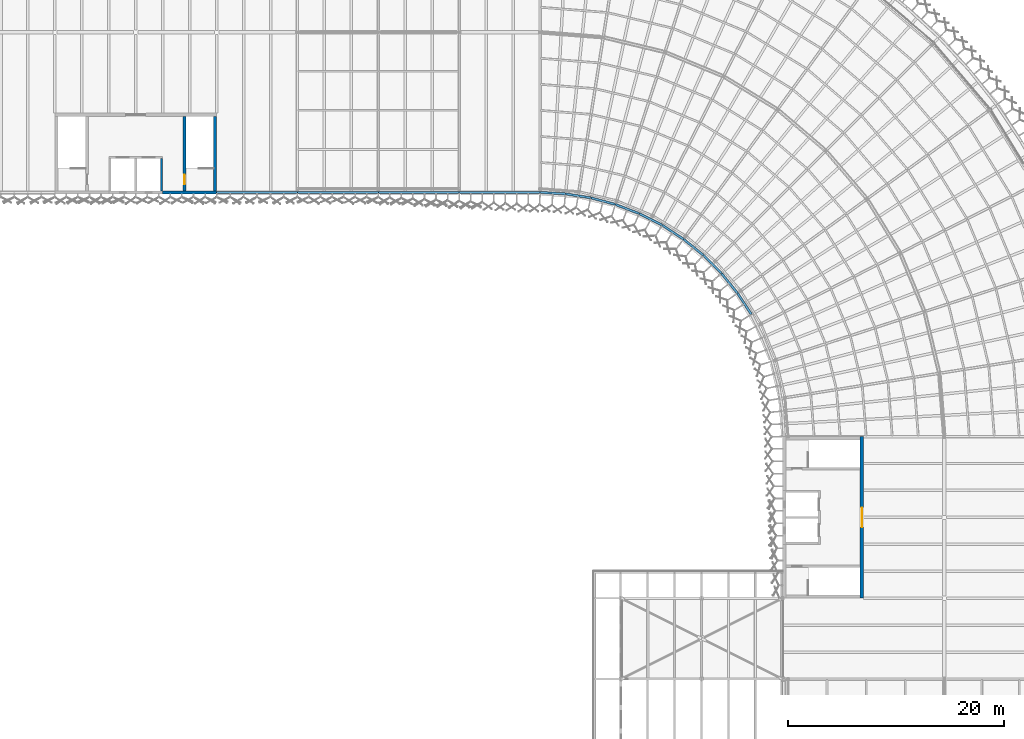
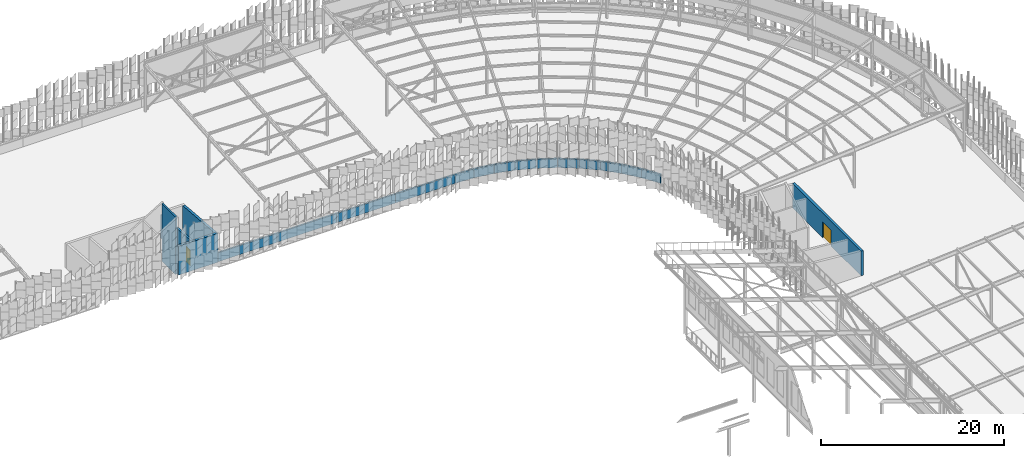
# One storey, part 125 of 483: 19 walls, 2 doors, 2 openings.
"""IFC4 building model written with IfcOpenShell, lengths in metres."""

import ifcopenshell
import ifcopenshell.guid

model = None  # the IFC model being written
_history = None  # IfcOwnerHistory: only IFC2X3 demands one
_inside = {}  # id of a spatial element -> (the spatial element, [elements in it])
_under = {}  # id of a project, library or spatial element -> (it, [spatial elements below it])
_declared = {}  # id of a project -> (the project, [libraries it declares])
_typed = {}  # id of a type object -> (the type object, [elements of that type])
_made_of = {}  # id of a material, layer set ... -> (it, [elements and type objects made of it])


def new_model(schema):
    """Start an empty IFC model of exactly this schema.

    Asked for "IFC4X3", IfcOpenShell would pick the latest addendum, in which some entities
    have other attributes; the version numbers below select the first issue.
    IFC2X3 requires an IfcOwnerHistory on every rooted entity: one is made here for all.
    """
    global model, _history
    if schema == "IFC4X3":
        model = ifcopenshell.file(schema_version=(4, 3, 0, 0))
    else:
        model = ifcopenshell.file(schema=schema)
    _inside.clear()
    _under.clear()
    _declared.clear()
    _typed.clear()
    _made_of.clear()
    _history = None
    if model.schema == "IFC2X3":
        org = make("IfcOrganization", Name="unknown")
        user = make(
            "IfcPersonAndOrganization",
            ThePerson=make("IfcPerson", FamilyName="unknown"),
            TheOrganization=org,
        )
        app = make(
            "IfcApplication",
            ApplicationDeveloper=org,
            Version="unknown",
            ApplicationFullName="unknown",
            ApplicationIdentifier="unknown",
        )
        _history = make(
            "IfcOwnerHistory",
            OwningUser=user,
            OwningApplication=app,
            ChangeAction="ADDED",
            CreationDate=0,
        )
    return model


def make(cls, **values):
    """One entity of the class cls with the attributes given. An attribute that is None is left unset."""
    return model.create_entity(
        cls, **{name: value for name, value in values.items() if value is not None}
    )


def rooted(cls, **values):
    """An entity with a GlobalId (a new one), such as an element, a storey or a relation."""
    return make(cls, GlobalId=ifcopenshell.guid.new(), OwnerHistory=_history, **values)


def si_unit(unit_type, name, prefix=None):
    """IfcSIUnit, for example si_unit("LENGTHUNIT", "METRE", prefix="MILLI")."""
    return make("IfcSIUnit", UnitType=unit_type, Prefix=prefix, Name=name)


def assignment(units):
    """IfcUnitAssignment: the units of a project."""
    return None if units is None else make("IfcUnitAssignment", Units=units)


def point(xyz):
    """IfcCartesianPoint."""
    return None if xyz is None else make("IfcCartesianPoint", Coordinates=xyz)


def direction(xyz):
    """IfcDirection."""
    return None if xyz is None else make("IfcDirection", DirectionRatios=xyz)


def frame(location, z_axis=None, x_axis=None):
    """IfcAxis2Placement3D, a coordinate frame: its origin and axes. An axis left out is left unset."""
    return make(
        "IfcAxis2Placement3D",
        Location=point(location),
        Axis=direction(z_axis),
        RefDirection=direction(x_axis),
    )


def frame_2d(location, x_axis=None):
    """IfcAxis2Placement2D, a coordinate frame in the plane: its origin and x axis."""
    return make(
        "IfcAxis2Placement2D", Location=point(location), RefDirection=direction(x_axis)
    )


def origin():
    """The frame at (0, 0, 0) with its axes left unset."""
    return frame((0.0, 0.0, 0.0))


def place(relative_to, where):
    """IfcLocalPlacement: puts the frame where relative to a parent placement (None: the world)."""
    return make(
        "IfcLocalPlacement", PlacementRelTo=relative_to, RelativePlacement=where
    )


def context(
    kind, dimensions, precision=None, world=None, true_north=None, identifier=None
):
    """IfcGeometricRepresentationContext, for example the 3D "Model" context."""
    return make(
        "IfcGeometricRepresentationContext",
        ContextIdentifier=identifier,
        ContextType=kind,
        CoordinateSpaceDimension=dimensions,
        Precision=precision,
        WorldCoordinateSystem=world,
        TrueNorth=true_north,
    )


def subcontext(parent, identifier, kind, view, scale=None):
    """IfcGeometricRepresentationSubContext, for example "Body" below "Model"."""
    return make(
        "IfcGeometricRepresentationSubContext",
        ContextIdentifier=identifier,
        ContextType=kind,
        ParentContext=parent,
        TargetScale=scale,
        TargetView=view,
    )


def project(units=None, contexts=None):
    """IfcProject with its units and contexts."""
    return rooted(
        "IfcProject",
        Name="project",
        RepresentationContexts=contexts,
        UnitsInContext=assignment(units),
    )


def spatial(cls, under=None, at=None, **own):
    """A site, building, storey or space (cls), placed at a placement, below another one or the project."""
    s = rooted(cls, ObjectPlacement=at, **own)
    if under is not None:
        _under.setdefault(under.id(), (under, []))[1].append(s)
    return s


def polyline(points):
    """IfcPolyline through the points."""
    return make("IfcPolyline", Points=[point(p) for p in points])


def profile(cls, at=None, kind="AREA", **sizes):
    """A parametric profile (cls). Its sizes go by their IFC names, for example OverallWidth=200.0."""
    return make(cls, ProfileType=kind, Position=at, **sizes)


def rectangle(**sizes):
    """IfcRectangleProfileDef."""
    return profile("IfcRectangleProfileDef", **sizes)


def outline(outer, holes=None, kind="AREA"):
    """IfcArbitraryClosedProfileDef: a profile drawn as a closed curve; with holes, ...WithVoids."""
    if holes is None:
        return make("IfcArbitraryClosedProfileDef", ProfileType=kind, OuterCurve=outer)
    return make(
        "IfcArbitraryProfileDefWithVoids",
        ProfileType=kind,
        OuterCurve=outer,
        InnerCurves=holes,
    )


def extrude(swept, where, along, depth):
    """IfcExtrudedAreaSolid: the profile swept, set in the frame where, extruded along a direction by depth."""
    return make(
        "IfcExtrudedAreaSolid",
        SweptArea=swept,
        Position=where,
        ExtrudedDirection=direction(along),
        Depth=depth,
    )


def shape(context_of_items, identifier, shape_type, items):
    """IfcShapeRepresentation: the items that make up one representation, for example the "Body"."""
    return make(
        "IfcShapeRepresentation",
        ContextOfItems=context_of_items,
        RepresentationIdentifier=identifier,
        RepresentationType=shape_type,
        Items=items,
    )


def material(Name=None, Category=None):
    """IfcMaterial."""
    return make("IfcMaterial", Name=Name, Category=Category)


def layer(
    of_material, thickness, ventilated=None, Name=None, Category=None, Priority=None
):
    """IfcMaterialLayer: one layer of a wall or slab, of a material (None: an air gap)."""
    return make(
        "IfcMaterialLayer",
        Material=of_material,
        LayerThickness=thickness,
        IsVentilated=ventilated,
        Name=Name,
        Category=Category,
        Priority=Priority,
    )


def layer_set(layers, Name=None):
    """IfcMaterialLayerSet."""
    return make("IfcMaterialLayerSet", MaterialLayers=layers, LayerSetName=Name)


def made_of(thing, what):
    """Note that an element or type object is made of a material, layer set ...; save() writes the relation."""
    if what is not None:
        _made_of.setdefault(what.id(), (what, []))[1].append(thing)
    return thing


def type_object(cls, material=None, **own):
    """A type object (cls), such as IfcWallType, which elements share."""
    return made_of(rooted(cls, **own), material)


def element(
    cls,
    number,
    at=None,
    inside=None,
    cuts=None,
    type_object=None,
    material=None,
    context=None,
    identifier="Body",
    shape_type=None,
    held_by="IfcProductDefinitionShape",
    body=None,
    shapes=None,
    **own,
):
    """One element of the class cls, such as IfcWall. Its Tag is "e" and its number.

    at: its placement. inside: the storey or other place that contains it. cuts: it is an
    opening in that element (IfcRelVoidsElement). A single representation is given by context,
    identifier, shape_type and body (its items); several are given by shapes. held_by: the class
    of the entity that holds the representations. save() writes the other relations.
    """
    e = rooted(cls, Tag="e%d" % number, ObjectPlacement=at, **own)
    if body is not None:
        shapes = [shape(context, identifier, shape_type, body)]
    if shapes is not None:
        e.Representation = make(held_by, Representations=shapes)
    if inside is not None:
        _inside.setdefault(inside.id(), (inside, []))[1].append(e)
    if cuts is not None:
        rooted(
            "IfcRelVoidsElement", RelatingBuildingElement=cuts, RelatedOpeningElement=e
        )
    if type_object is not None:
        _typed.setdefault(type_object.id(), (type_object, []))[1].append(e)
    return made_of(e, material)


def fill(opening, filler):
    """IfcRelFillsElement: the door or window that sits in an opening."""
    return rooted(
        "IfcRelFillsElement",
        RelatingOpeningElement=opening,
        RelatedBuildingElement=filler,
    )


def aggregate(whole, parts):
    """IfcRelAggregates: a whole, such as a stair, and the parts it consists of."""
    return rooted("IfcRelAggregates", RelatingObject=whole, RelatedObjects=parts)


def save(model, path):
    """Write the relations noted so far, then the file.

    IfcRelAggregates (storeys below a building ...), IfcRelContainedInSpatialStructure (elements
    in a storey), IfcRelDefinesByType, IfcRelAssociatesMaterial and IfcRelDeclares: one each for
    every whole, place, type object, material and project.
    """
    for whole, parts in _under.values():
        aggregate(whole, parts)
    for where, things in _inside.values():
        rooted(
            "IfcRelContainedInSpatialStructure",
            RelatedElements=things,
            RelatingStructure=where,
        )
    for kind, things in _typed.values():
        rooted("IfcRelDefinesByType", RelatedObjects=things, RelatingType=kind)
    for what, things in _made_of.values():
        rooted("IfcRelAssociatesMaterial", RelatedObjects=things, RelatingMaterial=what)
    for by, libraries in _declared.values():
        rooted("IfcRelDeclares", RelatingContext=by, RelatedDefinitions=libraries)
    model.write(path)


model = new_model("IFC4")

# Units and contexts
model_context = context("Model", 3, precision=1e-05, world=origin(), true_north=direction((0.0, 1.0)))
body_context = subcontext(model_context, "Body", "Model", "MODEL_VIEW")
ifc_project = project(units=[si_unit("LENGTHUNIT", "METRE"), si_unit("AREAUNIT", "SQUARE_METRE"), si_unit("VOLUMEUNIT", "CUBIC_METRE"), si_unit("PLANEANGLEUNIT", "RADIAN"), si_unit("MASSUNIT", "GRAM", prefix="KILO")], contexts=[model_context])

# Site, building, storey
site_placement = place(None, origin())
site = spatial("IfcSite", under=ifc_project, at=site_placement, CompositionType="ELEMENT")
building_placement = place(site_placement, origin())
building = spatial("IfcBuilding", under=site, at=building_placement, Name="Parallax Yard Mobility Hub", CompositionType="ELEMENT")
storey_placement = place(building_placement, frame((0.0, 0.0, 13.199951171875)))
storey = spatial("IfcBuildingStorey", under=building, at=storey_placement, Name="L04", CompositionType="ELEMENT", Elevation=13.199951171875)

# Walls
ifc_material_1 = material(Name="Concrete fc' 35 MPa", Category="concrete")
ifc_layer_1 = layer(ifc_material_1, 0.300048828125)
ifc_layer_set_1 = layer_set([ifc_layer_1], Name="Concrete fc' 35 MPa core wall 300")
wall_type_1 = type_object("IfcWallType", Name="Concrete fc' 35 MPa core wall 300", PredefinedType="SHEAR", material=ifc_layer_set_1)
wall_1_placement = place(storey_placement, frame((142.5, 112.64990234375, 0.0), z_axis=(0.0, 0.0, 1.0), x_axis=(-1.0, 0.0, 0.0)))
element("IfcWall", 1, at=wall_1_placement, inside=storey, type_object=wall_type_1, Name="Core C-N2 back wall part 1 level L04", PredefinedType="SHEAR", context=body_context, shape_type="SweptSolid", body=[
    extrude(rectangle(XDim=5.0, YDim=0.300048828125, at=frame_2d((2.5, 0.0))), origin(), (0.0, 0.0, 1.0), 3.875),
])
wall_2_placement = place(storey_placement, frame((142.35009765625, 119.699951171875, 0.0), z_axis=(0.0, 0.0, 1.0), x_axis=(0.0, -1.0, 0.0)))
element("IfcWall", 2, at=wall_2_placement, inside=storey, type_object=wall_type_1, Name="Core C-N2 west-side end wall level L04", PredefinedType="SHEAR", context=body_context, shape_type="SweptSolid", body=[
    extrude(outline(polyline([(0.0, 0.0), (6.89990234375, 0.0), (6.89990234375, 3.875), (0.0, 3.300048828125), (0.0, 0.0)])), frame((0.0, 0.14990234375, 0.0), z_axis=(0.0, -1.0, 0.0), x_axis=(1.0, 0.0, 0.0)), (0.0, 0.0, 1.0), 0.300048828125),
])

# Wall, opening, door
wall_3_placement = place(storey_placement, frame((202.35009765625, 90.0, 0.0), z_axis=(0.0, 0.0, 1.0), x_axis=(0.0, -1.0, 0.0)))
wall_3 = element("IfcWall", 3, at=wall_3_placement, inside=storey, type_object=wall_type_1, Name="Core C-E entry wall level L04", PredefinedType="SHEAR", context=body_context, shape_type="SweptSolid", body=[
    extrude(rectangle(XDim=15.0, YDim=0.300048828125, at=frame_2d((7.5, 0.0))), origin(), (0.0, 0.0, 1.0), 3.300048828125),
])
opening_1_placement = place(wall_3_placement, frame((6.60009765625, 0.0, 0.0)))
opening_1 = element("IfcOpeningElement", 4, at=opening_1_placement, cuts=wall_3, Name="Opening L04-D719", PredefinedType="OPENING", context=body_context, shape_type="SweptSolid", body=[
    extrude(rectangle(XDim=1.800048828125, YDim=2.10009765625, at=frame_2d((0.89990234375, 1.050048828125))), frame((0.0, 0.16015625, 0.0), z_axis=(0.0, -1.0, 0.0), x_axis=(1.0, 0.0, 0.0)), (0.0, 0.0, 1.0), 0.320068359375),
])
ifc_material_2 = material(Name="Hollow metal steel door and frame", Category="steel")
door_type_1 = type_object("IfcDoorType", Name="Core double door 1800 x 2100 FD90", OperationType="NOTDEFINED", PredefinedType="DOOR", material=ifc_material_2)
door_1_placement = place(opening_1_placement, origin())
door_1 = element("IfcDoor", 5, at=door_1_placement, inside=storey, type_object=door_type_1, Name="Lift lobby door L04-D719, core C-E level L04", OperationType="DOUBLE_DOOR_SINGLE_SWING", OverallHeight=2.10009765625, OverallWidth=1.800048828125, PredefinedType="DOOR", context=body_context, shape_type="SweptSolid", body=[
    extrude(rectangle(XDim=1.800048828125, YDim=2.10009765625, at=frame_2d((0.89990234375, 1.050048828125))), frame((0.0, 0.02490234375, 0.0), z_axis=(0.0, -1.0, 0.0), x_axis=(1.0, 0.0, 0.0)), (0.0, 0.0, 1.0), 0.050048828125),
])
fill(opening_1, door_1)

# Wall
ifc_layer_2 = layer(ifc_material_1, 0.199951171875)
ifc_layer_set_2 = layer_set([ifc_layer_2], Name="Concrete fc' 35 MPa internal core wall 200")
wall_type_2 = type_object("IfcWallType", Name="Concrete fc' 35 MPa internal core wall 200", PredefinedType="STANDARD", material=ifc_layer_set_2)
wall_4_placement = place(storey_placement, frame((137.39990234375, 115.800048828125, 0.0), z_axis=(0.0, 0.0, 1.0), x_axis=(0.0, -1.0, 0.0)))
element("IfcWall", 6, at=wall_4_placement, inside=storey, type_object=wall_type_2, Name="Core C-N2 lift wall 1 part 1 level L04", PredefinedType="STANDARD", context=body_context, shape_type="SweptSolid", body=[
    extrude(rectangle(XDim=3.0, YDim=0.199951171875, at=frame_2d((1.5, 0.0))), origin(), (0.0, 0.0, 1.0), 7.679931640625),
])

# Wall, opening, door
ifc_layer_3 = layer(ifc_material_1, 0.25)
ifc_layer_set_3 = layer_set([ifc_layer_3], Name="Concrete fc' 35 MPa stair enclosure wall 250")
wall_type_3 = type_object("IfcWallType", Name="Concrete fc' 35 MPa stair enclosure wall 250", PredefinedType="STANDARD", material=ifc_layer_set_3)
wall_5_placement = place(storey_placement, frame((139.52490234375, 119.699951171875, 0.0), z_axis=(0.0, 0.0, 1.0), x_axis=(0.0, -1.0, 0.0)))
wall_5 = element("IfcWall", 7, at=wall_5_placement, inside=storey, type_object=wall_type_3, Name="Core C-N2 stair 1 partition level L04", PredefinedType="STANDARD", context=body_context, shape_type="SweptSolid", body=[
    extrude(outline(polyline([(0.0, 0.0), (6.89990234375, 0.0), (6.89990234375, 3.675048828125), (0.0, 3.10009765625), (0.0, 0.0)])), frame((0.0, 0.125, 0.0), z_axis=(0.0, -1.0, 0.0), x_axis=(1.0, 0.0, 0.0)), (0.0, 0.0, 1.0), 0.25),
])
opening_2_placement = place(wall_5_placement, frame((5.39990234375, 0.0, 0.0)))
opening_2 = element("IfcOpeningElement", 8, at=opening_2_placement, cuts=wall_5, Name="Opening L04-D715", PredefinedType="OPENING", context=body_context, shape_type="SweptSolid", body=[
    extrude(rectangle(XDim=0.89990234375, YDim=2.10009765625, at=frame_2d((0.449951171875, 1.050048828125))), frame((0.0, 0.135009765625, 0.0), z_axis=(0.0, -1.0, 0.0), x_axis=(1.0, 0.0, 0.0)), (0.0, 0.0, 1.0), 0.27001953125),
])
door_type_2 = type_object("IfcDoorType", Name="Core door 900 x 2100 FD90", OperationType="NOTDEFINED", PredefinedType="DOOR", material=ifc_material_2)
door_2_placement = place(opening_2_placement, origin())
door_2 = element("IfcDoor", 9, at=door_2_placement, inside=storey, type_object=door_type_2, Name="Stair lobby door L04-D715, core C-N2 level L04", OperationType="SINGLE_SWING_LEFT", OverallHeight=2.10009765625, OverallWidth=0.89990234375, PredefinedType="DOOR", context=body_context, shape_type="SweptSolid", body=[
    extrude(rectangle(XDim=0.89990234375, YDim=2.10009765625, at=frame_2d((0.449951171875, 1.050048828125))), frame((0.0, 0.02490234375, 0.0), z_axis=(0.0, -1.0, 0.0), x_axis=(1.0, 0.0, 0.0)), (0.0, 0.0, 1.0), 0.050048828125),
])
fill(opening_2, door_2)

# Walls
ifc_layer_4 = layer(ifc_material_1, 0.199951171875)
ifc_layer_set_4 = layer_set([ifc_layer_4], Name="Roof parapet wall, Concrete fc' 35 MPa precast, 200")
wall_type_4 = type_object("IfcWallType", Name="Roof parapet wall, Concrete fc' 35 MPa precast, 200", PredefinedType="SOLIDWALL", material=ifc_layer_set_4)
wall_6_placement = place(storey_placement, frame((142.5048828125, 112.64599609375, 0.0), z_axis=(0.0, 0.0, 1.0), x_axis=(1.0, 0.0, 0.0)))
element("IfcWall", 10, at=wall_6_placement, inside=storey, type_object=wall_type_4, Name="Roof parapet wall bay 14 level L04", PredefinedType="SOLIDWALL", context=body_context, shape_type="SweptSolid", body=[
    extrude(rectangle(XDim=7.4931640625, YDim=0.199951171875, at=frame_2d((3.74658203125, 0.0))), origin(), (0.0, 0.0, 1.0), 1.199951171875),
])
for number, where, z_axis, x_axis, name in (
    (11, (150.001953125, 112.64599609375, 0.0), (0.0, 0.0, 1.0), (1.0, 0.0, 0.0), "Roof parapet wall bay 15 level L04"),
    (12, (157.501953125, 112.64599609375, 0.0), (0.0, 0.0, 1.0), (1.0, 0.0, 0.0), "Roof parapet wall bay 16 level L04"),
):
    element("IfcWall", number, at=place(storey_placement, frame(where, z_axis=z_axis, x_axis=x_axis)), inside=storey, type_object=wall_type_4, Name=name, PredefinedType="SOLIDWALL", context=body_context, shape_type="SweptSolid", body=[
        extrude(rectangle(XDim=7.49609375, YDim=0.199951171875, at=frame_2d((3.748046875, 0.0))), origin(), (0.0, 0.0, 1.0), 1.199951171875),
    ])
wall_7_placement = place(storey_placement, frame((165.001953125, 112.64599609375, 0.0), z_axis=(0.0, 0.0, 1.0), x_axis=(1.0, 0.0, 0.0)))
element("IfcWall", 13, at=wall_7_placement, inside=storey, type_object=wall_type_4, Name="Roof parapet wall bay 17 level L04", PredefinedType="SOLIDWALL", context=body_context, shape_type="SweptSolid", body=[
    extrude(rectangle(XDim=7.494384765625, YDim=0.199951171875, at=frame_2d((3.7470703125, 0.0))), origin(), (0.0, 0.0, 1.0), 1.199951171875),
])
wall_8_placement = place(storey_placement, frame((172.511962890625, 112.6455078125, 0.0), z_axis=(0.0, 0.0, 1.0), x_axis=(0.998363697911, -0.057183272838, 0.0)))
element("IfcWall", 14, at=wall_8_placement, inside=storey, type_object=wall_type_4, Name="Roof parapet wall bay 18-1 level L04", PredefinedType="SOLIDWALL", context=body_context, shape_type="SweptSolid", body=[
    extrude(rectangle(XDim=2.343994140625, YDim=0.199951171875, at=frame_2d((1.171875, 0.0))), origin(), (0.0, 0.0, 1.0), 1.199951171875),
])
wall_9_placement = place(storey_placement, frame((174.880126953125, 112.50830078125, 0.0), z_axis=(0.0, 0.0, 1.0), x_axis=(0.987951771585, -0.154762065835, 0.0)))
element("IfcWall", 15, at=wall_9_placement, inside=storey, type_object=wall_type_4, Name="Roof parapet wall bay 18-2 level L04", PredefinedType="SOLIDWALL", context=body_context, shape_type="SweptSolid", body=[
    extrude(rectangle(XDim=2.33935546875, YDim=0.199951171875, at=frame_2d((1.169677734375, 0.0))), origin(), (0.0, 0.0, 1.0), 1.199951171875),
])
wall_10_placement = place(storey_placement, frame((177.220947265625, 112.139892578125, 0.0), z_axis=(0.0, 0.0, 1.0), x_axis=(0.965926674967, -0.258815877772, 0.0)))
element("IfcWall", 16, at=wall_10_placement, inside=storey, type_object=wall_type_4, Name="Roof parapet wall bay 18-3 level L04", PredefinedType="SOLIDWALL", context=body_context, shape_type="SweptSolid", body=[
    extrude(rectangle(XDim=2.344970703125, YDim=0.199951171875, at=frame_2d((1.17236328125, 0.0))), origin(), (0.0, 0.0, 1.0), 1.199951171875),
])
wall_11_placement = place(storey_placement, frame((179.504638671875, 111.527099609375, 0.0), z_axis=(0.0, 0.0, 1.0), x_axis=(0.933007150588, -0.359857828805, 0.0)))
element("IfcWall", 17, at=wall_11_placement, inside=storey, type_object=wall_type_4, Name="Roof parapet wall bay 19-1 level L04", PredefinedType="SOLIDWALL", context=body_context, shape_type="SweptSolid", body=[
    extrude(rectangle(XDim=2.345458984375, YDim=0.199951171875, at=frame_2d((1.1728515625, 0.0))), origin(), (0.0, 0.0, 1.0), 1.199951171875),
])
wall_12_placement = place(storey_placement, frame((181.718505859375, 110.671630859375, 0.0), z_axis=(0.0, 0.0, 1.0), x_axis=(0.893213769241, -0.449632252444, 0.0)))
element("IfcWall", 18, at=wall_12_placement, inside=storey, type_object=wall_type_4, Name="Roof parapet wall bay 19-2 level L04", PredefinedType="SOLIDWALL", context=body_context, shape_type="SweptSolid", body=[
    extrude(rectangle(XDim=2.34033203125, YDim=0.199951171875, at=frame_2d((1.170166015625, 0.0))), origin(), (0.0, 0.0, 1.0), 1.199951171875),
])
wall_13_placement = place(storey_placement, frame((183.836669921875, 109.603271484375, 0.0), z_axis=(0.0, 0.0, 1.0), x_axis=(0.835985227542, -0.548751946996, 0.0)))
element("IfcWall", 19, at=wall_13_placement, inside=storey, type_object=wall_type_4, Name="Roof parapet wall bay 19-3 level L04", PredefinedType="SOLIDWALL", context=body_context, shape_type="SweptSolid", body=[
    extrude(rectangle(XDim=2.344970703125, YDim=0.199951171875, at=frame_2d((1.17236328125, 0.0))), origin(), (0.0, 0.0, 1.0), 1.199951171875),
])
wall_14_placement = place(storey_placement, frame((185.81201171875, 108.3056640625, 0.0), z_axis=(0.0, 0.0, 1.0), x_axis=(0.778138861241, -0.628092280343, 0.0)))
element("IfcWall", 20, at=wall_14_placement, inside=storey, type_object=wall_type_4, Name="Roof parapet wall bay 20-1 level L04", PredefinedType="SOLIDWALL", context=body_context, shape_type="SweptSolid", body=[
    extrude(rectangle(XDim=2.3447265625, YDim=0.199951171875, at=frame_2d((1.17236328125, 0.0))), origin(), (0.0, 0.0, 1.0), 1.199951171875),
])
wall_15_placement = place(storey_placement, frame((187.65869140625, 106.81298828125, 0.0), z_axis=(0.0, 0.0, 1.0), x_axis=(0.707106781187, -0.707106781187, 0.0)))
element("IfcWall", 21, at=wall_15_placement, inside=storey, type_object=wall_type_4, Name="Roof parapet wall bay 20-2 level L04", PredefinedType="SOLIDWALL", context=body_context, shape_type="SweptSolid", body=[
    extrude(rectangle(XDim=2.33984375, YDim=0.199951171875, at=frame_2d((1.169921875, 0.0))), origin(), (0.0, 0.0, 1.0), 1.199951171875),
])
wall_16_placement = place(storey_placement, frame((189.33349609375, 105.135986328125, 0.0), z_axis=(0.0, 0.0, 1.0), x_axis=(0.628029225429, -0.778189753214, 0.0)))
element("IfcWall", 22, at=wall_16_placement, inside=storey, type_object=wall_type_4, Name="Roof parapet wall bay 20-3 level L04", PredefinedType="SOLIDWALL", context=body_context, shape_type="SweptSolid", body=[
    extrude(rectangle(XDim=2.344482421875, YDim=0.199951171875, at=frame_2d((1.17236328125, 0.0))), origin(), (0.0, 0.0, 1.0), 1.199951171875),
])
wall_17_placement = place(storey_placement, frame((190.816650390625, 103.296875, 0.0), z_axis=(0.0, 0.0, 1.0), x_axis=(0.548726944504, -0.836001638979, 0.0)))
element("IfcWall", 23, at=wall_17_placement, inside=storey, type_object=wall_type_4, Name="Roof parapet wall bay 21-1 level L04", PredefinedType="SOLIDWALL", context=body_context, shape_type="SweptSolid", body=[
    extrude(rectangle(XDim=2.3447265625, YDim=0.199951171875, at=frame_2d((1.17236328125, 0.0))), origin(), (0.0, 0.0, 1.0), 1.199951171875),
])

save(model, "model.ifc")
